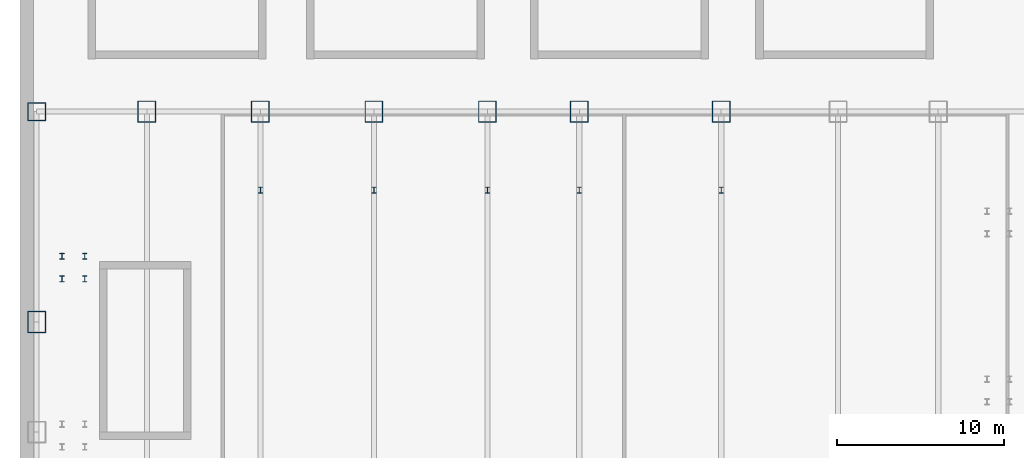
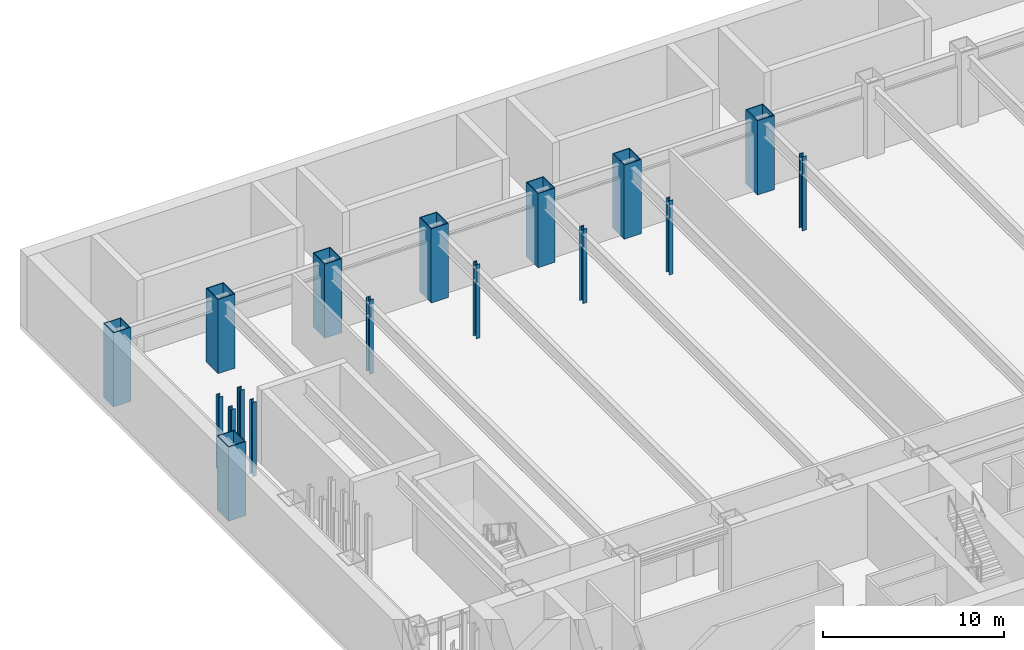
# One storey, part 3 of 16: 17 columns.
"""IFC4 building model written with IfcOpenShell, lengths in metres."""

import ifcopenshell
import ifcopenshell.guid

model = None  # the IFC model being written
_history = None  # IfcOwnerHistory: only IFC2X3 demands one
_inside = {}  # id of a spatial element -> (the spatial element, [elements in it])
_under = {}  # id of a project, library or spatial element -> (it, [spatial elements below it])
_declared = {}  # id of a project -> (the project, [libraries it declares])
_typed = {}  # id of a type object -> (the type object, [elements of that type])
_made_of = {}  # id of a material, layer set ... -> (it, [elements and type objects made of it])


def new_model(schema):
    """Start an empty IFC model of exactly this schema.

    Asked for "IFC4X3", IfcOpenShell would pick the latest addendum, in which some entities
    have other attributes; the version numbers below select the first issue.
    IFC2X3 requires an IfcOwnerHistory on every rooted entity: one is made here for all.
    """
    global model, _history
    if schema == "IFC4X3":
        model = ifcopenshell.file(schema_version=(4, 3, 0, 0))
    else:
        model = ifcopenshell.file(schema=schema)
    _inside.clear()
    _under.clear()
    _declared.clear()
    _typed.clear()
    _made_of.clear()
    _history = None
    if model.schema == "IFC2X3":
        org = make("IfcOrganization", Name="unknown")
        user = make(
            "IfcPersonAndOrganization",
            ThePerson=make("IfcPerson", FamilyName="unknown"),
            TheOrganization=org,
        )
        app = make(
            "IfcApplication",
            ApplicationDeveloper=org,
            Version="unknown",
            ApplicationFullName="unknown",
            ApplicationIdentifier="unknown",
        )
        _history = make(
            "IfcOwnerHistory",
            OwningUser=user,
            OwningApplication=app,
            ChangeAction="ADDED",
            CreationDate=0,
        )
    return model


def make(cls, **values):
    """One entity of the class cls with the attributes given. An attribute that is None is left unset."""
    return model.create_entity(
        cls, **{name: value for name, value in values.items() if value is not None}
    )


def rooted(cls, **values):
    """An entity with a GlobalId (a new one), such as an element, a storey or a relation."""
    return make(cls, GlobalId=ifcopenshell.guid.new(), OwnerHistory=_history, **values)


def si_unit(unit_type, name, prefix=None):
    """IfcSIUnit, for example si_unit("LENGTHUNIT", "METRE", prefix="MILLI")."""
    return make("IfcSIUnit", UnitType=unit_type, Prefix=prefix, Name=name)


def derived_unit(unit_type, elements):
    """IfcDerivedUnit: a product of units, each with its exponent."""
    return make(
        "IfcDerivedUnit",
        Elements=[
            make("IfcDerivedUnitElement", Unit=unit, Exponent=power)
            for unit, power in elements
        ],
        UnitType=unit_type,
    )


def assignment(units):
    """IfcUnitAssignment: the units of a project."""
    return None if units is None else make("IfcUnitAssignment", Units=units)


def point(xyz):
    """IfcCartesianPoint."""
    return None if xyz is None else make("IfcCartesianPoint", Coordinates=xyz)


def direction(xyz):
    """IfcDirection."""
    return None if xyz is None else make("IfcDirection", DirectionRatios=xyz)


def frame(location, z_axis=None, x_axis=None):
    """IfcAxis2Placement3D, a coordinate frame: its origin and axes. An axis left out is left unset."""
    return make(
        "IfcAxis2Placement3D",
        Location=point(location),
        Axis=direction(z_axis),
        RefDirection=direction(x_axis),
    )


def frame_2d(location, x_axis=None):
    """IfcAxis2Placement2D, a coordinate frame in the plane: its origin and x axis."""
    return make(
        "IfcAxis2Placement2D", Location=point(location), RefDirection=direction(x_axis)
    )


def origin():
    """The frame at (0, 0, 0) with its axes left unset."""
    return frame((0.0, 0.0, 0.0))


def origin_2d():
    """The frame at (0, 0) in the plane with its x axis left unset."""
    return frame_2d((0.0, 0.0))


def place(relative_to, where):
    """IfcLocalPlacement: puts the frame where relative to a parent placement (None: the world)."""
    return make(
        "IfcLocalPlacement", PlacementRelTo=relative_to, RelativePlacement=where
    )


def context(
    kind, dimensions, precision=None, world=None, true_north=None, identifier=None
):
    """IfcGeometricRepresentationContext, for example the 3D "Model" context."""
    return make(
        "IfcGeometricRepresentationContext",
        ContextIdentifier=identifier,
        ContextType=kind,
        CoordinateSpaceDimension=dimensions,
        Precision=precision,
        WorldCoordinateSystem=world,
        TrueNorth=true_north,
    )


def subcontext(parent, identifier, kind, view, scale=None):
    """IfcGeometricRepresentationSubContext, for example "Body" below "Model"."""
    return make(
        "IfcGeometricRepresentationSubContext",
        ContextIdentifier=identifier,
        ContextType=kind,
        ParentContext=parent,
        TargetScale=scale,
        TargetView=view,
    )


def project(units=None, contexts=None):
    """IfcProject with its units and contexts."""
    return rooted(
        "IfcProject",
        Name="project",
        RepresentationContexts=contexts,
        UnitsInContext=assignment(units),
    )


def spatial(cls, under=None, at=None, **own):
    """A site, building, storey or space (cls), placed at a placement, below another one or the project."""
    s = rooted(cls, ObjectPlacement=at, **own)
    if under is not None:
        _under.setdefault(under.id(), (under, []))[1].append(s)
    return s


def profile(cls, at=None, kind="AREA", **sizes):
    """A parametric profile (cls). Its sizes go by their IFC names, for example OverallWidth=200.0."""
    return make(cls, ProfileType=kind, Position=at, **sizes)


def hollow_rectangle(**sizes):
    """IfcRectangleHollowProfileDef."""
    return profile("IfcRectangleHollowProfileDef", **sizes)


def i_section(**sizes):
    """IfcIShapeProfileDef."""
    return profile("IfcIShapeProfileDef", **sizes)


def extrude(swept, where, along, depth):
    """IfcExtrudedAreaSolid: the profile swept, set in the frame where, extruded along a direction by depth."""
    return make(
        "IfcExtrudedAreaSolid",
        SweptArea=swept,
        Position=where,
        ExtrudedDirection=direction(along),
        Depth=depth,
    )


def shape(context_of_items, identifier, shape_type, items):
    """IfcShapeRepresentation: the items that make up one representation, for example the "Body"."""
    return make(
        "IfcShapeRepresentation",
        ContextOfItems=context_of_items,
        RepresentationIdentifier=identifier,
        RepresentationType=shape_type,
        Items=items,
    )


def source(mapping_origin, context_of_items, identifier, shape_type, items):
    """IfcRepresentationMap: a shape defined once, which mapped items show again and again."""
    return make(
        "IfcRepresentationMap",
        MappingOrigin=mapping_origin,
        MappedRepresentation=shape(context_of_items, identifier, shape_type, items),
    )


def transform(
    local_origin,
    x_axis=None,
    y_axis=None,
    z_axis=None,
    scale=None,
    scale2=None,
    scale3=None,
    uniform=True,
):
    """IfcCartesianTransformationOperator3D, or its non-uniform kind. x_axis, y_axis, z_axis: its Axis1, 2, 3."""
    if uniform:
        return make(
            "IfcCartesianTransformationOperator3D",
            Axis1=direction(x_axis),
            Axis2=direction(y_axis),
            LocalOrigin=point(local_origin),
            Scale=scale,
            Axis3=direction(z_axis),
        )
    return make(
        "IfcCartesianTransformationOperator3DnonUniform",
        Axis1=direction(x_axis),
        Axis2=direction(y_axis),
        LocalOrigin=point(local_origin),
        Scale=scale,
        Axis3=direction(z_axis),
        Scale2=scale2,
        Scale3=scale3,
    )


def mapped(mapping_source, mapping_target):
    """IfcMappedItem: shows the shape of a source again, moved by a transform."""
    return make(
        "IfcMappedItem", MappingSource=mapping_source, MappingTarget=mapping_target
    )


def material(Name=None, Category=None):
    """IfcMaterial."""
    return make("IfcMaterial", Name=Name, Category=Category)


def material_profile(
    of_material, cross_section, Name=None, Category=None, Priority=None
):
    """IfcMaterialProfile: a cross section and its material."""
    return make(
        "IfcMaterialProfile",
        Name=Name,
        Material=of_material,
        Profile=cross_section,
        Priority=Priority,
        Category=Category,
    )


def profile_set(profiles, Name=None, composite=None):
    """IfcMaterialProfileSet."""
    return make(
        "IfcMaterialProfileSet",
        Name=Name,
        MaterialProfiles=profiles,
        CompositeProfile=composite,
    )


def made_of(thing, what):
    """Note that an element or type object is made of a material, layer set ...; save() writes the relation."""
    if what is not None:
        _made_of.setdefault(what.id(), (what, []))[1].append(thing)
    return thing


def type_object(cls, material=None, **own):
    """A type object (cls), such as IfcWallType, which elements share."""
    return made_of(rooted(cls, **own), material)


def element(
    cls,
    number,
    at=None,
    inside=None,
    cuts=None,
    type_object=None,
    material=None,
    context=None,
    identifier="Body",
    shape_type=None,
    held_by="IfcProductDefinitionShape",
    body=None,
    shapes=None,
    **own,
):
    """One element of the class cls, such as IfcWall. Its Tag is "e" and its number.

    at: its placement. inside: the storey or other place that contains it. cuts: it is an
    opening in that element (IfcRelVoidsElement). A single representation is given by context,
    identifier, shape_type and body (its items); several are given by shapes. held_by: the class
    of the entity that holds the representations. save() writes the other relations.
    """
    e = rooted(cls, Tag="e%d" % number, ObjectPlacement=at, **own)
    if body is not None:
        shapes = [shape(context, identifier, shape_type, body)]
    if shapes is not None:
        e.Representation = make(held_by, Representations=shapes)
    if inside is not None:
        _inside.setdefault(inside.id(), (inside, []))[1].append(e)
    if cuts is not None:
        rooted(
            "IfcRelVoidsElement", RelatingBuildingElement=cuts, RelatedOpeningElement=e
        )
    if type_object is not None:
        _typed.setdefault(type_object.id(), (type_object, []))[1].append(e)
    return made_of(e, material)


def aggregate(whole, parts):
    """IfcRelAggregates: a whole, such as a stair, and the parts it consists of."""
    return rooted("IfcRelAggregates", RelatingObject=whole, RelatedObjects=parts)


def save(model, path):
    """Write the relations noted so far, then the file.

    IfcRelAggregates (storeys below a building ...), IfcRelContainedInSpatialStructure (elements
    in a storey), IfcRelDefinesByType, IfcRelAssociatesMaterial and IfcRelDeclares: one each for
    every whole, place, type object, material and project.
    """
    for whole, parts in _under.values():
        aggregate(whole, parts)
    for where, things in _inside.values():
        rooted(
            "IfcRelContainedInSpatialStructure",
            RelatedElements=things,
            RelatingStructure=where,
        )
    for kind, things in _typed.values():
        rooted("IfcRelDefinesByType", RelatedObjects=things, RelatingType=kind)
    for what, things in _made_of.values():
        rooted("IfcRelAssociatesMaterial", RelatedObjects=things, RelatingMaterial=what)
    for by, libraries in _declared.values():
        rooted("IfcRelDeclares", RelatingContext=by, RelatedDefinitions=libraries)
    model.write(path)


model = new_model("IFC4")

# Units and contexts
model_context = context("Model", 3, precision=1e-05, world=origin(), true_north=direction((0.0, 1.0)))
body_context = subcontext(model_context, "Body", "Model", "MODEL_VIEW")
ifc_project = project(units=[si_unit("LENGTHUNIT", "METRE"), si_unit("AREAUNIT", "SQUARE_METRE"), si_unit("VOLUMEUNIT", "CUBIC_METRE"), si_unit("PLANEANGLEUNIT", "RADIAN"), si_unit("MASSUNIT", "GRAM", prefix="KILO"), derived_unit("THERMALTRANSMITTANCEUNIT", [(si_unit("POWERUNIT", "WATT"), 1), (si_unit("LENGTHUNIT", "METRE"), -2), (si_unit("THERMODYNAMICTEMPERATUREUNIT", "KELVIN"), -1)])], contexts=[model_context])

# Site, building, storey
site_placement = place(None, origin())
site = spatial("IfcSite", under=ifc_project, at=site_placement, CompositionType="ELEMENT")
building_placement = place(site_placement, origin())
building = spatial("IfcBuilding", under=site, at=building_placement, Name="Skarnbrae Concourse Arena and Tower", CompositionType="ELEMENT")
storey_placement = place(building_placement, frame((0.0, 0.0, -5.0)))
storey = spatial("IfcBuildingStorey", under=building, at=storey_placement, Name="B01", CompositionType="ELEMENT", Elevation=-5.0)

# Columns
ifc_material = material(Name="Steel CSA G40.21 350W", Category="steel")
ifc_material_profile_1 = material_profile(ifc_material, hollow_rectangle(XDim=1.10009765625, YDim=1.10009765625, WallThickness=0.050048828125, at=origin_2d()), Name="BOX1100X1100X50")
ifc_profile_set_1 = profile_set([ifc_material_profile_1], Name="Steel CSA G40.21 350W")
column_type_1 = type_object("IfcColumnType", Name="COL-MEGA-BOX1100", PredefinedType="PILASTER", material=ifc_profile_set_1)
shared_shape_1 = source(origin(), body_context, "Body", "SweptSolid", [
    extrude(hollow_rectangle(XDim=1.10009765625, YDim=1.10009765625, WallThickness=0.050048828125, at=origin_2d()), origin(), (0.0, 0.0, 1.0), 5.0),
])
column_placement = place(storey_placement, frame((1.0, 47.0, 0.0), z_axis=(0.0, 0.0, 1.0), x_axis=(1.0, 0.0, 0.0)))
element("IfcColumn", 1, at=column_placement, inside=storey, type_object=column_type_1, Name="B01 Podium mega-column MC-W6", PredefinedType="PILASTER", context=body_context, shape_type="MappedRepresentation", body=[
    mapped(shared_shape_1, transform((0.0, 0.0, 0.0))),
])
ifc_material_profile_2 = material_profile(ifc_material, hollow_rectangle(XDim=1.10009765625, YDim=1.300048828125, WallThickness=0.054931640625, at=origin_2d()), Name="BOX1300X1100X55")
ifc_profile_set_2 = profile_set([ifc_material_profile_2], Name="Steel CSA G40.21 350W")
column_type_2 = type_object("IfcColumnType", Name="COL-MEGA-BOX1300", PredefinedType="PILASTER", material=ifc_profile_set_2)
shared_shape_2 = source(origin(), body_context, "Body", "SweptSolid", [
    extrude(hollow_rectangle(XDim=1.10009765625, YDim=1.300048828125, WallThickness=0.054931640625, at=origin_2d()), origin(), (0.0, 0.0, 1.0), 5.0),
])
for number, where, z_axis, x_axis, name in (
    (2, (1.0, 34.39990234375, 0.0), (0.0, 0.0, 1.0), (1.0, 0.0, 0.0), "B01 Podium mega-column MC-W4"),
    (3, (7.60009765625, 47.0, 0.0), (0.0, 0.0, 1.0), (1.0, 0.0, 0.0), "B01 Podium mega-column MC-N2"),
    (4, (14.39990234375, 47.0, 0.0), (0.0, 0.0, 1.0), (1.0, 0.0, 0.0), "B01 Podium mega-column MC-N3"),
    (5, (21.199951171875, 47.0, 0.0), (0.0, 0.0, 1.0), (1.0, 0.0, 0.0), "B01 Podium mega-column MC-N4"),
    (6, (28.0, 47.0, 0.0), (0.0, 0.0, 1.0), (1.0, 0.0, 0.0), "B01 Podium mega-column MC-N5"),
    (7, (33.5, 47.0, 0.0), (0.0, 0.0, 1.0), (1.0, 0.0, 0.0), "B01 Podium mega-column MC-N6"),
    (8, (42.0, 47.0, 0.0), (0.0, 0.0, 1.0), (1.0, 0.0, 0.0), "B01 Podium mega-column MC-N7"),
):
    element("IfcColumn", number, at=place(storey_placement, frame(where, z_axis=z_axis, x_axis=x_axis)), inside=storey, type_object=column_type_2, Name=name, PredefinedType="PILASTER", context=body_context, shape_type="MappedRepresentation", body=[
        mapped(shared_shape_2, transform((0.0, 0.0, 0.0))),
    ])
ifc_material_profile_3 = material_profile(ifc_material, i_section(OverallWidth=0.257080078125, OverallDepth=0.363037109375, WebThickness=0.012939453125, FlangeThickness=0.021728515625, at=origin_2d()), Name="W360X122")
ifc_profile_set_3 = profile_set([ifc_material_profile_3], Name="Steel CSA G40.21 350W")
column_type_3 = type_object("IfcColumnType", Name="COL-POD-W360X122", PredefinedType="COLUMN", material=ifc_profile_set_3)
shared_shape_3 = source(origin(), body_context, "Body", "SweptSolid", [
    extrude(i_section(OverallWidth=0.257080078125, OverallDepth=0.363037109375, WebThickness=0.012939453125, FlangeThickness=0.021728515625, at=origin_2d()), origin(), (0.0, 0.0, 1.0), 5.0),
])
for number, where, z_axis, x_axis, name in (
    (9, (14.39990234375, 42.300048828125, 0.0), (0.0, 0.0, 1.0), (1.0, 0.0, 0.0), "B01 Arena seating stand toe column X14"),
    (10, (21.199951171875, 42.300048828125, 0.0), (0.0, 0.0, 1.0), (1.0, 0.0, 0.0), "B01 Arena seating stand toe column X21"),
    (11, (28.0, 42.300048828125, 0.0), (0.0, 0.0, 1.0), (1.0, 0.0, 0.0), "B01 Arena seating stand toe column X28"),
    (12, (33.5, 42.300048828125, 0.0), (0.0, 0.0, 1.0), (1.0, 0.0, 0.0), "B01 Arena seating stand toe column X33"),
    (13, (42.0, 42.300048828125, 0.0), (0.0, 0.0, 1.0), (1.0, 0.0, 0.0), "B01 Arena seating stand toe column X42"),
    (14, (2.52001953125, 36.97998046875, 0.0), (0.0, 0.0, 1.0), (1.0, 0.0, 0.0), "B01 Concourse stair ST-CONC-2-L01 TOP post 11"),
    (15, (2.52001953125, 38.340087890625, 0.0), (0.0, 0.0, 1.0), (1.0, 0.0, 0.0), "B01 Concourse stair ST-CONC-2-L01 TOP post 12"),
    (16, (3.8798828125, 36.97998046875, 0.0), (0.0, 0.0, 1.0), (1.0, 0.0, 0.0), "B01 Concourse stair ST-CONC-2-L01 TOP post 21"),
    (17, (3.8798828125, 38.340087890625, 0.0), (0.0, 0.0, 1.0), (1.0, 0.0, 0.0), "B01 Concourse stair ST-CONC-2-L01 TOP post 22"),
):
    element("IfcColumn", number, at=place(storey_placement, frame(where, z_axis=z_axis, x_axis=x_axis)), inside=storey, type_object=column_type_3, Name=name, PredefinedType="COLUMN", context=body_context, shape_type="MappedRepresentation", body=[
        mapped(shared_shape_3, transform((0.0, 0.0, 0.0))),
    ])

save(model, "model.ifc")
